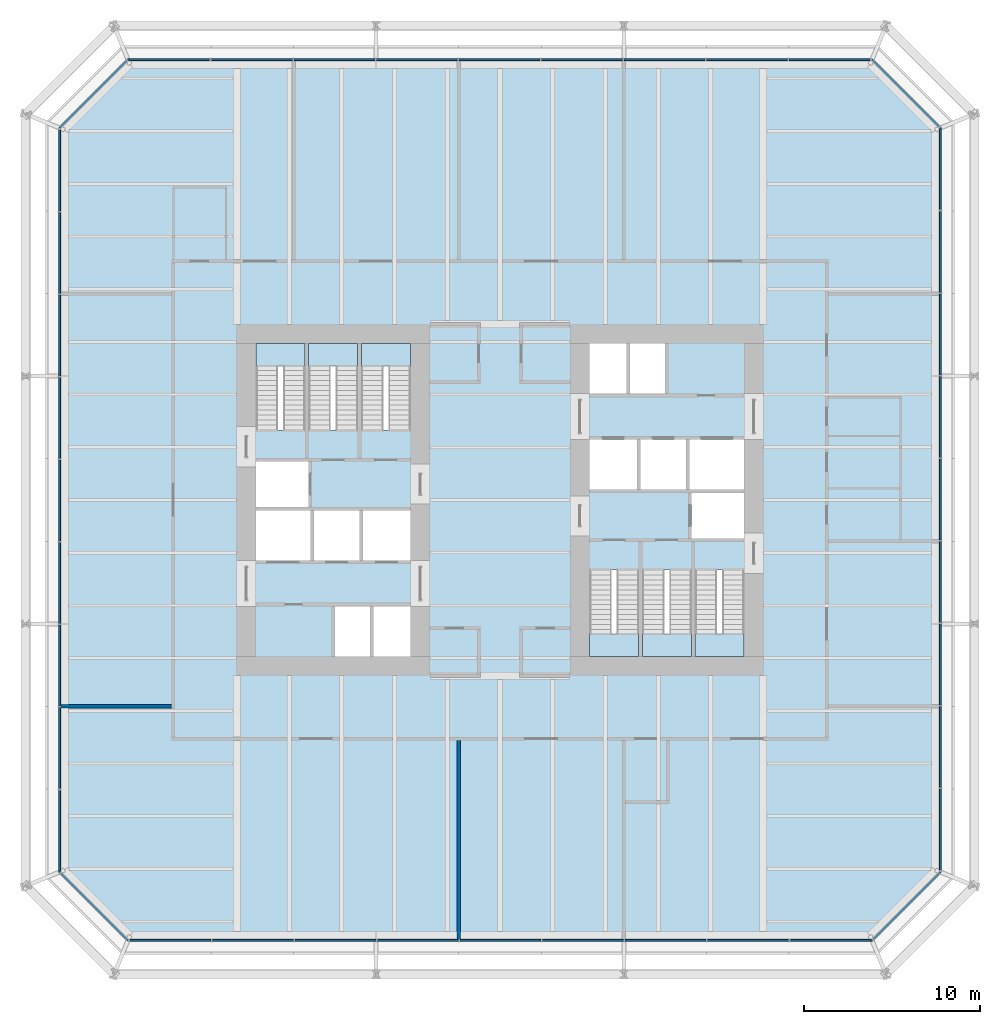
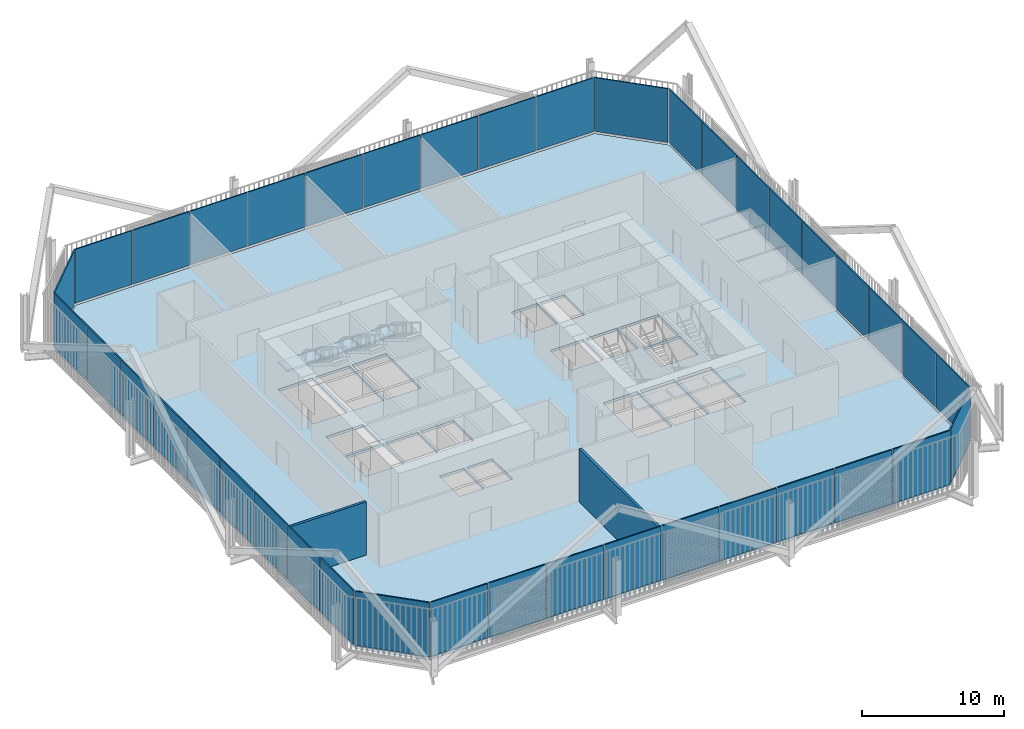
# One storey, part 17 of 22: 40 plates, 7 slabs, 2 walls, 14 elements without a shape of their own.
"""IFC4 building model written with IfcOpenShell, lengths in metres."""

from ifc_helpers import new_model, si_unit, direction, frame, frame_2d, origin, place, context, subcontext, project, spatial, polyline, rectangle, outline, extrude, material, layer, layer_set, type_object, element, aggregate, save


model = new_model("IFC4")

# Units and contexts
model_context = context("Model", 3, precision=1e-05, world=origin(), true_north=direction((0.0, 1.0)))
body_context = subcontext(model_context, "Body", "Model", "MODEL_VIEW")
ifc_project = project(units=[si_unit("LENGTHUNIT", "METRE"), si_unit("AREAUNIT", "SQUARE_METRE"), si_unit("VOLUMEUNIT", "CUBIC_METRE"), si_unit("PLANEANGLEUNIT", "RADIAN"), si_unit("MASSUNIT", "GRAM", prefix="KILO")], contexts=[model_context])

# Site, building, storey
site_placement = place(None, origin())
site = spatial("IfcSite", under=ifc_project, at=site_placement, CompositionType="ELEMENT")
building_placement = place(site_placement, origin())
building = spatial("IfcBuilding", under=site, at=building_placement, Name="Millrace Tower", CompositionType="ELEMENT")
storey_placement = place(building_placement, frame((0.0, 0.0, 44.89990234375)))
storey = spatial("IfcBuildingStorey", under=building, at=storey_placement, Name="L10", CompositionType="ELEMENT", Elevation=44.89990234375)

# Curtain wall, plate
ifc_material_1 = material(Name="Aluminium and glass", Category="aluminium")
ifc_layer_1 = layer(ifc_material_1, 0.14990234375)
ifc_layer_set_1 = layer_set([ifc_layer_1], Name="Aluminium and glass")
curtain_wall_type = type_object("IfcCurtainWallType", Name="CW-2 data hall insulated curtain wall", PredefinedType="NOTDEFINED", material=ifc_layer_set_1)
placement_1 = place(storey_placement, origin())
curtain_wall_1 = element("IfcCurtainWall", 1, at=placement_1, inside=storey, type_object=curtain_wall_type, Name="Curtain wall A-F01 L10", PredefinedType="NOTDEFINED")
ifc_material_2 = material(Name="Glass", Category="glass")
ifc_layer_2 = layer(ifc_material_2, 0.10009765625)
ifc_layer_set_2 = layer_set([ifc_layer_2], Name="Glass")
plate_type = type_object("IfcPlateType", Name="CW-2 data hall insulated curtain wall insulated cassette with vision slot", PredefinedType="CURTAIN_PANEL", material=ifc_layer_set_2)
placement_2 = place(storey_placement, frame((0.0, 0.0, 0.16015625)))
plate_1 = element("IfcPlate", 2, at=placement_2, type_object=plate_type, Name="CW2 panel A-F01.1", PredefinedType="CURTAIN_PANEL", context=body_context, shape_type="SweptSolid", body=[
    extrude(outline(polyline([(-25.04248046875, -21.284423828125), (-21.20166015625, -25.125), (-21.160400390625, -25.02490234375), (-24.9716796875, -21.213623046875), (-25.04248046875, -21.284423828125)])), origin(), (0.0, 0.0, 1.0), 4.639892578125),
])
aggregate(curtain_wall_1, [plate_1])

# Curtain wall, plates
curtain_wall_2 = element("IfcCurtainWall", 3, at=placement_1, inside=storey, type_object=curtain_wall_type, Name="Curtain wall A-F02 L10", PredefinedType="NOTDEFINED")
plate_2 = element("IfcPlate", 4, at=placement_2, type_object=plate_type, Name="CW2 panel A-F02.1", PredefinedType="CURTAIN_PANEL", context=body_context, shape_type="SweptSolid", body=[
    extrude(outline(polyline([(-21.0849609375, -25.125), (-16.449951171875, -25.125), (-16.449951171875, -25.02490234375), (-21.0849609375, -25.02490234375), (-21.0849609375, -25.125)])), origin(), (0.0, 0.0, 1.0), 4.639892578125),
])
plate_3 = element("IfcPlate", 5, at=placement_2, type_object=plate_type, Name="CW2 panel A-F02.2", PredefinedType="CURTAIN_PANEL", context=body_context, shape_type="SweptSolid", body=[
    extrude(outline(polyline([(-16.385009765625, -25.125), (-11.75, -25.125), (-11.75, -25.02490234375), (-16.385009765625, -25.02490234375), (-16.385009765625, -25.125)])), origin(), (0.0, 0.0, 1.0), 4.639892578125),
])
plate_4 = element("IfcPlate", 6, at=placement_2, type_object=plate_type, Name="CW2 panel A-F02.3", PredefinedType="CURTAIN_PANEL", context=body_context, shape_type="SweptSolid", body=[
    extrude(outline(polyline([(-11.68505859375, -25.125), (-7.050048828125, -25.125), (-7.050048828125, -25.02490234375), (-11.68505859375, -25.02490234375), (-11.68505859375, -25.125)])), origin(), (0.0, 0.0, 1.0), 4.639892578125),
])
plate_5 = element("IfcPlate", 7, at=placement_2, type_object=plate_type, Name="CW2 panel A-F02.4", PredefinedType="CURTAIN_PANEL", context=body_context, shape_type="SweptSolid", body=[
    extrude(outline(polyline([(-6.985107421875, -25.125), (-2.35009765625, -25.125), (-2.35009765625, -25.02490234375), (-6.985107421875, -25.02490234375), (-6.985107421875, -25.125)])), origin(), (0.0, 0.0, 1.0), 4.639892578125),
])
plate_6 = element("IfcPlate", 8, at=placement_2, type_object=plate_type, Name="CW2 panel A-F02.5", PredefinedType="CURTAIN_PANEL", context=body_context, shape_type="SweptSolid", body=[
    extrude(outline(polyline([(-2.284912109375, -25.125), (2.35009765625, -25.125), (2.35009765625, -25.02490234375), (-2.284912109375, -25.02490234375), (-2.284912109375, -25.125)])), origin(), (0.0, 0.0, 1.0), 4.639892578125),
])
plate_7 = element("IfcPlate", 9, at=placement_2, type_object=plate_type, Name="CW2 panel A-F02.6", PredefinedType="CURTAIN_PANEL", context=body_context, shape_type="SweptSolid", body=[
    extrude(outline(polyline([(2.4150390625, -25.125), (7.050048828125, -25.125), (7.050048828125, -25.02490234375), (2.4150390625, -25.02490234375), (2.4150390625, -25.125)])), origin(), (0.0, 0.0, 1.0), 4.639892578125),
])
plate_8 = element("IfcPlate", 10, at=placement_2, type_object=plate_type, Name="CW2 panel A-F02.7", PredefinedType="CURTAIN_PANEL", context=body_context, shape_type="SweptSolid", body=[
    extrude(outline(polyline([(7.114990234375, -25.125), (11.75, -25.125), (11.75, -25.02490234375), (7.114990234375, -25.02490234375), (7.114990234375, -25.125)])), origin(), (0.0, 0.0, 1.0), 4.639892578125),
])
plate_9 = element("IfcPlate", 11, at=placement_2, type_object=plate_type, Name="CW2 panel A-F02.8", PredefinedType="CURTAIN_PANEL", context=body_context, shape_type="SweptSolid", body=[
    extrude(outline(polyline([(11.81494140625, -25.125), (16.449951171875, -25.125), (16.449951171875, -25.02490234375), (11.81494140625, -25.02490234375), (11.81494140625, -25.125)])), origin(), (0.0, 0.0, 1.0), 4.639892578125),
])
plate_10 = element("IfcPlate", 12, at=placement_2, type_object=plate_type, Name="CW2 panel A-F02.9", PredefinedType="CURTAIN_PANEL", context=body_context, shape_type="SweptSolid", body=[
    extrude(outline(polyline([(16.514892578125, -25.125), (21.20166015625, -25.125), (21.160400390625, -25.02490234375), (16.514892578125, -25.02490234375), (16.514892578125, -25.125)])), origin(), (0.0, 0.0, 1.0), 4.639892578125),
])
aggregate(curtain_wall_2, [plate_2, plate_3, plate_4, plate_5, plate_6, plate_7, plate_8, plate_9, plate_10])

# Curtain wall, plate
curtain_wall_3 = element("IfcCurtainWall", 13, at=placement_1, inside=storey, type_object=curtain_wall_type, Name="Curtain wall A-F03 L10", PredefinedType="NOTDEFINED")
plate_11 = element("IfcPlate", 14, at=placement_2, type_object=plate_type, Name="CW2 panel A-F03.1", PredefinedType="CURTAIN_PANEL", context=body_context, shape_type="SweptSolid", body=[
    extrude(outline(polyline([(21.284423828125, -25.04248046875), (25.125, -21.20166015625), (25.02490234375, -21.160400390625), (21.213623046875, -24.9716796875), (21.284423828125, -25.04248046875)])), origin(), (0.0, 0.0, 1.0), 4.639892578125),
])
aggregate(curtain_wall_3, [plate_11])

# Curtain wall, plates
curtain_wall_4 = element("IfcCurtainWall", 15, at=placement_1, inside=storey, type_object=curtain_wall_type, Name="Curtain wall A-F04 L10", PredefinedType="NOTDEFINED")
plate_12 = element("IfcPlate", 16, at=placement_2, type_object=plate_type, Name="CW2 panel A-F04.1", PredefinedType="CURTAIN_PANEL", context=body_context, shape_type="SweptSolid", body=[
    extrude(outline(polyline([(25.125, -21.0849609375), (25.125, -16.449951171875), (25.02490234375, -16.449951171875), (25.02490234375, -21.0849609375), (25.125, -21.0849609375)])), origin(), (0.0, 0.0, 1.0), 4.639892578125),
])
plate_13 = element("IfcPlate", 17, at=placement_2, type_object=plate_type, Name="CW2 panel A-F04.2", PredefinedType="CURTAIN_PANEL", context=body_context, shape_type="SweptSolid", body=[
    extrude(outline(polyline([(25.125, -16.385009765625), (25.125, -11.75), (25.02490234375, -11.75), (25.02490234375, -16.385009765625), (25.125, -16.385009765625)])), origin(), (0.0, 0.0, 1.0), 4.639892578125),
])
plate_14 = element("IfcPlate", 18, at=placement_2, type_object=plate_type, Name="CW2 panel A-F04.3", PredefinedType="CURTAIN_PANEL", context=body_context, shape_type="SweptSolid", body=[
    extrude(outline(polyline([(25.125, -11.68505859375), (25.125, -7.050048828125), (25.02490234375, -7.050048828125), (25.02490234375, -11.68505859375), (25.125, -11.68505859375)])), origin(), (0.0, 0.0, 1.0), 4.639892578125),
])
plate_15 = element("IfcPlate", 19, at=placement_2, type_object=plate_type, Name="CW2 panel A-F04.4", PredefinedType="CURTAIN_PANEL", context=body_context, shape_type="SweptSolid", body=[
    extrude(outline(polyline([(25.125, -6.985107421875), (25.125, -2.35009765625), (25.02490234375, -2.35009765625), (25.02490234375, -6.985107421875), (25.125, -6.985107421875)])), origin(), (0.0, 0.0, 1.0), 4.639892578125),
])
plate_16 = element("IfcPlate", 20, at=placement_2, type_object=plate_type, Name="CW2 panel A-F04.5", PredefinedType="CURTAIN_PANEL", context=body_context, shape_type="SweptSolid", body=[
    extrude(outline(polyline([(25.125, -2.284912109375), (25.125, 2.35009765625), (25.02490234375, 2.35009765625), (25.02490234375, -2.284912109375), (25.125, -2.284912109375)])), origin(), (0.0, 0.0, 1.0), 4.639892578125),
])
plate_17 = element("IfcPlate", 21, at=placement_2, type_object=plate_type, Name="CW2 panel A-F04.6", PredefinedType="CURTAIN_PANEL", context=body_context, shape_type="SweptSolid", body=[
    extrude(outline(polyline([(25.125, 2.4150390625), (25.125, 7.050048828125), (25.02490234375, 7.050048828125), (25.02490234375, 2.4150390625), (25.125, 2.4150390625)])), origin(), (0.0, 0.0, 1.0), 4.639892578125),
])
plate_18 = element("IfcPlate", 22, at=placement_2, type_object=plate_type, Name="CW2 panel A-F04.7", PredefinedType="CURTAIN_PANEL", context=body_context, shape_type="SweptSolid", body=[
    extrude(outline(polyline([(25.125, 7.114990234375), (25.125, 11.75), (25.02490234375, 11.75), (25.02490234375, 7.114990234375), (25.125, 7.114990234375)])), origin(), (0.0, 0.0, 1.0), 4.639892578125),
])
plate_19 = element("IfcPlate", 23, at=placement_2, type_object=plate_type, Name="CW2 panel A-F04.8", PredefinedType="CURTAIN_PANEL", context=body_context, shape_type="SweptSolid", body=[
    extrude(outline(polyline([(25.125, 11.81494140625), (25.125, 16.449951171875), (25.02490234375, 16.449951171875), (25.02490234375, 11.81494140625), (25.125, 11.81494140625)])), origin(), (0.0, 0.0, 1.0), 4.639892578125),
])
plate_20 = element("IfcPlate", 24, at=placement_2, type_object=plate_type, Name="CW2 panel A-F04.9", PredefinedType="CURTAIN_PANEL", context=body_context, shape_type="SweptSolid", body=[
    extrude(outline(polyline([(25.125, 16.514892578125), (25.125, 21.20166015625), (25.02490234375, 21.160400390625), (25.02490234375, 16.514892578125), (25.125, 16.514892578125)])), origin(), (0.0, 0.0, 1.0), 4.639892578125),
])
aggregate(curtain_wall_4, [plate_12, plate_13, plate_14, plate_15, plate_16, plate_17, plate_18, plate_19, plate_20])

# Curtain wall, plate
curtain_wall_5 = element("IfcCurtainWall", 25, at=placement_1, inside=storey, type_object=curtain_wall_type, Name="Curtain wall A-F05 L10", PredefinedType="NOTDEFINED")
plate_21 = element("IfcPlate", 26, at=placement_2, type_object=plate_type, Name="CW2 panel A-F05.1", PredefinedType="CURTAIN_PANEL", context=body_context, shape_type="SweptSolid", body=[
    extrude(outline(polyline([(25.04248046875, 21.284423828125), (21.20166015625, 25.125), (21.160400390625, 25.02490234375), (24.9716796875, 21.213623046875), (25.04248046875, 21.284423828125)])), origin(), (0.0, 0.0, 1.0), 4.639892578125),
])
aggregate(curtain_wall_5, [plate_21])

# Curtain wall, plates
curtain_wall_6 = element("IfcCurtainWall", 27, at=placement_1, inside=storey, type_object=curtain_wall_type, Name="Curtain wall A-F06 L10", PredefinedType="NOTDEFINED")
plate_22 = element("IfcPlate", 28, at=placement_2, type_object=plate_type, Name="CW2 panel A-F06.1", PredefinedType="CURTAIN_PANEL", context=body_context, shape_type="SweptSolid", body=[
    extrude(outline(polyline([(21.0849609375, 25.125), (16.449951171875, 25.125), (16.449951171875, 25.02490234375), (21.0849609375, 25.02490234375), (21.0849609375, 25.125)])), origin(), (0.0, 0.0, 1.0), 4.639892578125),
])
plate_23 = element("IfcPlate", 29, at=placement_2, type_object=plate_type, Name="CW2 panel A-F06.2", PredefinedType="CURTAIN_PANEL", context=body_context, shape_type="SweptSolid", body=[
    extrude(outline(polyline([(16.385009765625, 25.125), (11.75, 25.125), (11.75, 25.02490234375), (16.385009765625, 25.02490234375), (16.385009765625, 25.125)])), origin(), (0.0, 0.0, 1.0), 4.639892578125),
])
plate_24 = element("IfcPlate", 30, at=placement_2, type_object=plate_type, Name="CW2 panel A-F06.3", PredefinedType="CURTAIN_PANEL", context=body_context, shape_type="SweptSolid", body=[
    extrude(outline(polyline([(11.68505859375, 25.125), (7.050048828125, 25.125), (7.050048828125, 25.02490234375), (11.68505859375, 25.02490234375), (11.68505859375, 25.125)])), origin(), (0.0, 0.0, 1.0), 4.639892578125),
])
plate_25 = element("IfcPlate", 31, at=placement_2, type_object=plate_type, Name="CW2 panel A-F06.4", PredefinedType="CURTAIN_PANEL", context=body_context, shape_type="SweptSolid", body=[
    extrude(outline(polyline([(6.985107421875, 25.125), (2.35009765625, 25.125), (2.35009765625, 25.02490234375), (6.985107421875, 25.02490234375), (6.985107421875, 25.125)])), origin(), (0.0, 0.0, 1.0), 4.639892578125),
])
plate_26 = element("IfcPlate", 32, at=placement_2, type_object=plate_type, Name="CW2 panel A-F06.5", PredefinedType="CURTAIN_PANEL", context=body_context, shape_type="SweptSolid", body=[
    extrude(outline(polyline([(2.284912109375, 25.125), (-2.35009765625, 25.125), (-2.35009765625, 25.02490234375), (2.284912109375, 25.02490234375), (2.284912109375, 25.125)])), origin(), (0.0, 0.0, 1.0), 4.639892578125),
])
plate_27 = element("IfcPlate", 33, at=placement_2, type_object=plate_type, Name="CW2 panel A-F06.6", PredefinedType="CURTAIN_PANEL", context=body_context, shape_type="SweptSolid", body=[
    extrude(outline(polyline([(-2.4150390625, 25.125), (-7.050048828125, 25.125), (-7.050048828125, 25.02490234375), (-2.4150390625, 25.02490234375), (-2.4150390625, 25.125)])), origin(), (0.0, 0.0, 1.0), 4.639892578125),
])
plate_28 = element("IfcPlate", 34, at=placement_2, type_object=plate_type, Name="CW2 panel A-F06.7", PredefinedType="CURTAIN_PANEL", context=body_context, shape_type="SweptSolid", body=[
    extrude(outline(polyline([(-7.114990234375, 25.125), (-11.75, 25.125), (-11.75, 25.02490234375), (-7.114990234375, 25.02490234375), (-7.114990234375, 25.125)])), origin(), (0.0, 0.0, 1.0), 4.639892578125),
])
plate_29 = element("IfcPlate", 35, at=placement_2, type_object=plate_type, Name="CW2 panel A-F06.8", PredefinedType="CURTAIN_PANEL", context=body_context, shape_type="SweptSolid", body=[
    extrude(outline(polyline([(-11.81494140625, 25.125), (-16.449951171875, 25.125), (-16.449951171875, 25.02490234375), (-11.81494140625, 25.02490234375), (-11.81494140625, 25.125)])), origin(), (0.0, 0.0, 1.0), 4.639892578125),
])
plate_30 = element("IfcPlate", 36, at=placement_2, type_object=plate_type, Name="CW2 panel A-F06.9", PredefinedType="CURTAIN_PANEL", context=body_context, shape_type="SweptSolid", body=[
    extrude(outline(polyline([(-16.514892578125, 25.125), (-21.20166015625, 25.125), (-21.160400390625, 25.02490234375), (-16.514892578125, 25.02490234375), (-16.514892578125, 25.125)])), origin(), (0.0, 0.0, 1.0), 4.639892578125),
])
aggregate(curtain_wall_6, [plate_22, plate_23, plate_24, plate_25, plate_26, plate_27, plate_28, plate_29, plate_30])

# Curtain wall, plate
curtain_wall_7 = element("IfcCurtainWall", 37, at=placement_1, inside=storey, type_object=curtain_wall_type, Name="Curtain wall A-F07 L10", PredefinedType="NOTDEFINED")
plate_31 = element("IfcPlate", 38, at=placement_2, type_object=plate_type, Name="CW2 panel A-F07.1", PredefinedType="CURTAIN_PANEL", context=body_context, shape_type="SweptSolid", body=[
    extrude(outline(polyline([(-21.284423828125, 25.04248046875), (-25.125, 21.20166015625), (-25.02490234375, 21.160400390625), (-21.213623046875, 24.9716796875), (-21.284423828125, 25.04248046875)])), origin(), (0.0, 0.0, 1.0), 4.639892578125),
])
aggregate(curtain_wall_7, [plate_31])

# Curtain wall, plates
curtain_wall_8 = element("IfcCurtainWall", 39, at=placement_1, inside=storey, type_object=curtain_wall_type, Name="Curtain wall A-F08 L10", PredefinedType="NOTDEFINED")
plate_32 = element("IfcPlate", 40, at=placement_2, type_object=plate_type, Name="CW2 panel A-F08.1", PredefinedType="CURTAIN_PANEL", context=body_context, shape_type="SweptSolid", body=[
    extrude(outline(polyline([(-25.125, 21.0849609375), (-25.125, 16.449951171875), (-25.02490234375, 16.449951171875), (-25.02490234375, 21.0849609375), (-25.125, 21.0849609375)])), origin(), (0.0, 0.0, 1.0), 4.639892578125),
])
plate_33 = element("IfcPlate", 41, at=placement_2, type_object=plate_type, Name="CW2 panel A-F08.2", PredefinedType="CURTAIN_PANEL", context=body_context, shape_type="SweptSolid", body=[
    extrude(outline(polyline([(-25.125, 16.385009765625), (-25.125, 11.75), (-25.02490234375, 11.75), (-25.02490234375, 16.385009765625), (-25.125, 16.385009765625)])), origin(), (0.0, 0.0, 1.0), 4.639892578125),
])
plate_34 = element("IfcPlate", 42, at=placement_2, type_object=plate_type, Name="CW2 panel A-F08.3", PredefinedType="CURTAIN_PANEL", context=body_context, shape_type="SweptSolid", body=[
    extrude(outline(polyline([(-25.125, 11.68505859375), (-25.125, 7.050048828125), (-25.02490234375, 7.050048828125), (-25.02490234375, 11.68505859375), (-25.125, 11.68505859375)])), origin(), (0.0, 0.0, 1.0), 4.639892578125),
])
plate_35 = element("IfcPlate", 43, at=placement_2, type_object=plate_type, Name="CW2 panel A-F08.4", PredefinedType="CURTAIN_PANEL", context=body_context, shape_type="SweptSolid", body=[
    extrude(outline(polyline([(-25.125, 6.985107421875), (-25.125, 2.35009765625), (-25.02490234375, 2.35009765625), (-25.02490234375, 6.985107421875), (-25.125, 6.985107421875)])), origin(), (0.0, 0.0, 1.0), 4.639892578125),
])
plate_36 = element("IfcPlate", 44, at=placement_2, type_object=plate_type, Name="CW2 panel A-F08.5", PredefinedType="CURTAIN_PANEL", context=body_context, shape_type="SweptSolid", body=[
    extrude(outline(polyline([(-25.125, 2.284912109375), (-25.125, -2.35009765625), (-25.02490234375, -2.35009765625), (-25.02490234375, 2.284912109375), (-25.125, 2.284912109375)])), origin(), (0.0, 0.0, 1.0), 4.639892578125),
])
plate_37 = element("IfcPlate", 45, at=placement_2, type_object=plate_type, Name="CW2 panel A-F08.6", PredefinedType="CURTAIN_PANEL", context=body_context, shape_type="SweptSolid", body=[
    extrude(outline(polyline([(-25.125, -2.4150390625), (-25.125, -7.050048828125), (-25.02490234375, -7.050048828125), (-25.02490234375, -2.4150390625), (-25.125, -2.4150390625)])), origin(), (0.0, 0.0, 1.0), 4.639892578125),
])
plate_38 = element("IfcPlate", 46, at=placement_2, type_object=plate_type, Name="CW2 panel A-F08.7", PredefinedType="CURTAIN_PANEL", context=body_context, shape_type="SweptSolid", body=[
    extrude(outline(polyline([(-25.125, -7.114990234375), (-25.125, -11.75), (-25.02490234375, -11.75), (-25.02490234375, -7.114990234375), (-25.125, -7.114990234375)])), origin(), (0.0, 0.0, 1.0), 4.639892578125),
])
plate_39 = element("IfcPlate", 47, at=placement_2, type_object=plate_type, Name="CW2 panel A-F08.8", PredefinedType="CURTAIN_PANEL", context=body_context, shape_type="SweptSolid", body=[
    extrude(outline(polyline([(-25.125, -11.81494140625), (-25.125, -16.449951171875), (-25.02490234375, -16.449951171875), (-25.02490234375, -11.81494140625), (-25.125, -11.81494140625)])), origin(), (0.0, 0.0, 1.0), 4.639892578125),
])
plate_40 = element("IfcPlate", 48, at=placement_2, type_object=plate_type, Name="CW2 panel A-F08.9", PredefinedType="CURTAIN_PANEL", context=body_context, shape_type="SweptSolid", body=[
    extrude(outline(polyline([(-25.125, -16.514892578125), (-25.125, -21.20166015625), (-25.02490234375, -21.160400390625), (-25.02490234375, -16.514892578125), (-25.125, -16.514892578125)])), origin(), (0.0, 0.0, 1.0), 4.639892578125),
])
aggregate(curtain_wall_8, [plate_32, plate_33, plate_34, plate_35, plate_36, plate_37, plate_38, plate_39, plate_40])

# Slab
ifc_material_3 = material(Name="Concrete C35 on steel deck", Category="concrete")
ifc_layer_3 = layer(ifc_material_3, 0.22509765625)
ifc_layer_set_3 = layer_set([ifc_layer_3], Name="Concrete C35 on steel deck")
slab_type_1 = type_object("IfcSlabType", Name="Composite floor slab 225 mm", PredefinedType="FLOOR", material=ifc_layer_set_3)
slab_1_placement = place(storey_placement, frame((0.0, 0.0, -0.224853515625)))
element("IfcSlab", 49, at=slab_1_placement, inside=storey, type_object=slab_type_1, Name="SL-A-L10-S1", PredefinedType="FLOOR", context=body_context, shape_type="SweptSolid", body=[
    extrude(outline(polyline([(-25.0, -21.14990234375), (-21.14990234375, -25.0), (21.14990234375, -25.0), (25.0, -21.14990234375), (25.0, 21.14990234375), (21.14990234375, 25.0), (-21.14990234375, 25.0), (-25.0, 21.14990234375), (-25.0, -21.14990234375)]), holes=[polyline([(-9.39990234375, -8.89990234375), (-7.39990234375, -8.89990234375), (-7.39990234375, -6.050048828125), (-9.39990234375, -6.050048828125), (-9.39990234375, -8.89990234375)]), polyline([(-7.199951171875, -8.89990234375), (-5.10009765625, -8.89990234375), (-5.10009765625, -6.050048828125), (-7.199951171875, -6.050048828125), (-7.199951171875, -8.89990234375)]), polyline([(-13.89990234375, -3.449951171875), (-10.800048828125, -3.449951171875), (-10.800048828125, -0.60009765625), (-13.89990234375, -0.60009765625), (-13.89990234375, -3.449951171875)]), polyline([(-10.60009765625, -3.449951171875), (-8.0, -3.449951171875), (-8.0, -0.60009765625), (-10.60009765625, -0.60009765625), (-10.60009765625, -3.449951171875)]), polyline([(-7.800048828125, -3.449951171875), (-5.10009765625, -3.449951171875), (-5.10009765625, -0.60009765625), (-7.800048828125, -0.60009765625), (-7.800048828125, -3.449951171875)]), polyline([(-13.89990234375, -0.39990234375), (-10.89990234375, -0.39990234375), (-10.89990234375, 2.179931640625), (-13.89990234375, 2.179931640625), (-13.89990234375, -0.39990234375)]), polyline([(-13.89990234375, 4.0), (-11.10009765625, 4.0), (-11.10009765625, 8.89990234375), (-13.89990234375, 8.89990234375), (-13.89990234375, 4.0)]), polyline([(-10.89990234375, 4.0), (-8.10009765625, 4.0), (-8.10009765625, 8.89990234375), (-10.89990234375, 8.89990234375), (-10.89990234375, 4.0)]), polyline([(-7.89990234375, 4.0), (-5.10009765625, 4.0), (-5.10009765625, 8.89990234375), (-7.89990234375, 8.89990234375), (-7.89990234375, 4.0)]), polyline([(7.39990234375, 6.050048828125), (9.39990234375, 6.050048828125), (9.39990234375, 8.89990234375), (7.39990234375, 8.89990234375), (7.39990234375, 6.050048828125)]), polyline([(5.10009765625, 6.050048828125), (7.199951171875, 6.050048828125), (7.199951171875, 8.89990234375), (5.10009765625, 8.89990234375), (5.10009765625, 6.050048828125)]), polyline([(10.800048828125, 0.60009765625), (13.89990234375, 0.60009765625), (13.89990234375, 3.449951171875), (10.800048828125, 3.449951171875), (10.800048828125, 0.60009765625)]), polyline([(8.0, 0.60009765625), (10.60009765625, 0.60009765625), (10.60009765625, 3.449951171875), (8.0, 3.449951171875), (8.0, 0.60009765625)]), polyline([(5.10009765625, 0.60009765625), (7.800048828125, 0.60009765625), (7.800048828125, 3.449951171875), (5.10009765625, 3.449951171875), (5.10009765625, 0.60009765625)]), polyline([(10.89990234375, -2.179931640625), (13.89990234375, -2.179931640625), (13.89990234375, 0.39990234375), (10.89990234375, 0.39990234375), (10.89990234375, -2.179931640625)]), polyline([(11.10009765625, -8.89990234375), (13.89990234375, -8.89990234375), (13.89990234375, -4.0), (11.10009765625, -4.0), (11.10009765625, -8.89990234375)]), polyline([(8.10009765625, -8.89990234375), (10.89990234375, -8.89990234375), (10.89990234375, -4.0), (8.10009765625, -4.0), (8.10009765625, -8.89990234375)]), polyline([(5.10009765625, -8.89990234375), (7.89990234375, -8.89990234375), (7.89990234375, -4.0), (5.10009765625, -4.0), (5.10009765625, -8.89990234375)])]), origin(), (0.0, 0.0, 1.0), 0.224853515625),
])

# Stair, slab
ifc_material_4 = material(Name="Concrete C35", Category="concrete")
stair_type = type_object("IfcStairType", Name="Exit stair", PredefinedType="HALF_TURN_STAIR", material=ifc_material_4)
stair_1 = element("IfcStair", 50, at=placement_1, inside=storey, type_object=stair_type, Name="Stair 1 W L10", PredefinedType="HALF_TURN_STAIR")
ifc_material_5 = material(Name="Concrete C40", Category="concrete")
ifc_layer_4 = layer(ifc_material_5, 0.199951171875)
ifc_layer_set_4 = layer_set([ifc_layer_4], Name="Concrete C40")
slab_type_2 = type_object("IfcSlabType", Name="Stair landing", PredefinedType="LANDING", material=ifc_layer_set_4)
placement_3 = place(storey_placement, frame((0.0, 0.0, 2.2001953125)))
slab_2 = element("IfcSlab", 51, at=placement_3, type_object=slab_type_2, Name="ST12 landing 1", PredefinedType="LANDING", context=body_context, shape_type="SweptSolid", body=[
    extrude(outline(polyline([(-13.89990234375, 7.639892578125), (-11.10009765625, 7.639892578125), (-11.10009765625, 8.89990234375), (-13.89990234375, 8.89990234375), (-13.89990234375, 7.639892578125)])), origin(), (0.0, 0.0, 1.0), 0.199951171875),
])
aggregate(stair_1, [slab_2])

stair_2 = element("IfcStair", 52, at=placement_1, inside=storey, type_object=stair_type, Name="Stair 2 W L10", PredefinedType="HALF_TURN_STAIR")
slab_3 = element("IfcSlab", 53, at=placement_3, type_object=slab_type_2, Name="ST12 landing 1", PredefinedType="LANDING", context=body_context, shape_type="SweptSolid", body=[
    extrude(outline(polyline([(-10.89990234375, 7.639892578125), (-8.10009765625, 7.639892578125), (-8.10009765625, 8.89990234375), (-10.89990234375, 8.89990234375), (-10.89990234375, 7.639892578125)])), origin(), (0.0, 0.0, 1.0), 0.199951171875),
])
aggregate(stair_2, [slab_3])

stair_3 = element("IfcStair", 54, at=placement_1, inside=storey, type_object=stair_type, Name="Stair 3 W L10", PredefinedType="HALF_TURN_STAIR")
slab_4 = element("IfcSlab", 55, at=placement_3, type_object=slab_type_2, Name="ST12 landing 1", PredefinedType="LANDING", context=body_context, shape_type="SweptSolid", body=[
    extrude(outline(polyline([(-7.89990234375, 7.639892578125), (-5.10009765625, 7.639892578125), (-5.10009765625, 8.89990234375), (-7.89990234375, 8.89990234375), (-7.89990234375, 7.639892578125)])), origin(), (0.0, 0.0, 1.0), 0.199951171875),
])
aggregate(stair_3, [slab_4])

stair_4 = element("IfcStair", 56, at=placement_1, inside=storey, type_object=stair_type, Name="Stair 1 E L10", PredefinedType="HALF_TURN_STAIR")
slab_5 = element("IfcSlab", 57, at=placement_3, type_object=slab_type_2, Name="ST12 landing 1", PredefinedType="LANDING", context=body_context, shape_type="SweptSolid", body=[
    extrude(outline(polyline([(11.10009765625, -8.89990234375), (13.89990234375, -8.89990234375), (13.89990234375, -7.639892578125), (11.10009765625, -7.639892578125), (11.10009765625, -8.89990234375)])), origin(), (0.0, 0.0, 1.0), 0.199951171875),
])
aggregate(stair_4, [slab_5])

stair_5 = element("IfcStair", 58, at=placement_1, inside=storey, type_object=stair_type, Name="Stair 2 E L10", PredefinedType="HALF_TURN_STAIR")
slab_6 = element("IfcSlab", 59, at=placement_3, type_object=slab_type_2, Name="ST12 landing 1", PredefinedType="LANDING", context=body_context, shape_type="SweptSolid", body=[
    extrude(outline(polyline([(8.10009765625, -8.89990234375), (10.89990234375, -8.89990234375), (10.89990234375, -7.639892578125), (8.10009765625, -7.639892578125), (8.10009765625, -8.89990234375)])), origin(), (0.0, 0.0, 1.0), 0.199951171875),
])
aggregate(stair_5, [slab_6])

stair_6 = element("IfcStair", 60, at=placement_1, inside=storey, type_object=stair_type, Name="Stair 3 E L10", PredefinedType="HALF_TURN_STAIR")
slab_7 = element("IfcSlab", 61, at=placement_3, type_object=slab_type_2, Name="ST12 landing 1", PredefinedType="LANDING", context=body_context, shape_type="SweptSolid", body=[
    extrude(outline(polyline([(5.10009765625, -8.89990234375), (7.89990234375, -8.89990234375), (7.89990234375, -7.639892578125), (5.10009765625, -7.639892578125), (5.10009765625, -8.89990234375)])), origin(), (0.0, 0.0, 1.0), 0.199951171875),
])
aggregate(stair_6, [slab_7])

# Walls
ifc_material_6 = material(Name="Masonry partition, fire-rated", Category="masonry")
ifc_layer_5 = layer(ifc_material_6, 0.199951171875)
ifc_layer_set_5 = layer_set([ifc_layer_5], Name="Masonry partition, fire-rated")
wall_type = type_object("IfcWallType", Name="Corridor wall 200", PredefinedType="PARTITIONING", material=ifc_layer_set_5)
wall_1_placement = place(storey_placement, frame((-25.030029296875, -11.75, 0.0), z_axis=(0.0, 0.0, 1.0), x_axis=(1.0, 0.0, 0.0)))
element("IfcWall", 62, at=wall_1_placement, inside=storey, type_object=wall_type, Name="Corridor wall L10", PredefinedType="PARTITIONING", context=body_context, shape_type="SweptSolid", body=[
    extrude(rectangle(XDim=6.330078125, YDim=0.199951171875, at=frame_2d((3.1650390625, 0.0))), origin(), (0.0, 0.0, 1.0), 4.5751953125),
])
wall_2_placement = place(storey_placement, frame((-2.35009765625, -25.030029296875, 0.0), z_axis=(0.0, 0.0, 1.0), x_axis=(0.0, 1.0, 0.0)))
element("IfcWall", 63, at=wall_2_placement, inside=storey, type_object=wall_type, Name="Corridor wall L10", PredefinedType="PARTITIONING", context=body_context, shape_type="SweptSolid", body=[
    extrude(rectangle(XDim=11.330078125, YDim=0.199951171875, at=frame_2d((5.6650390625, 0.0))), origin(), (0.0, 0.0, 1.0), 4.5751953125),
])

save(model, "model.ifc")
